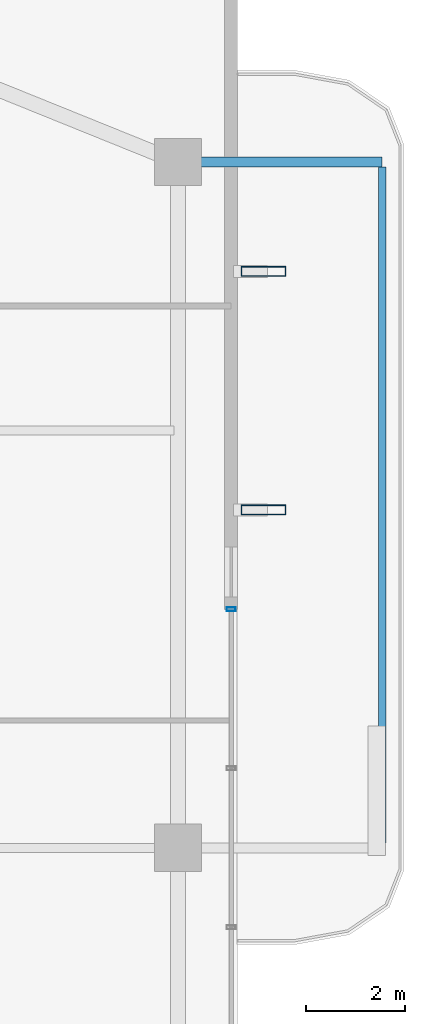
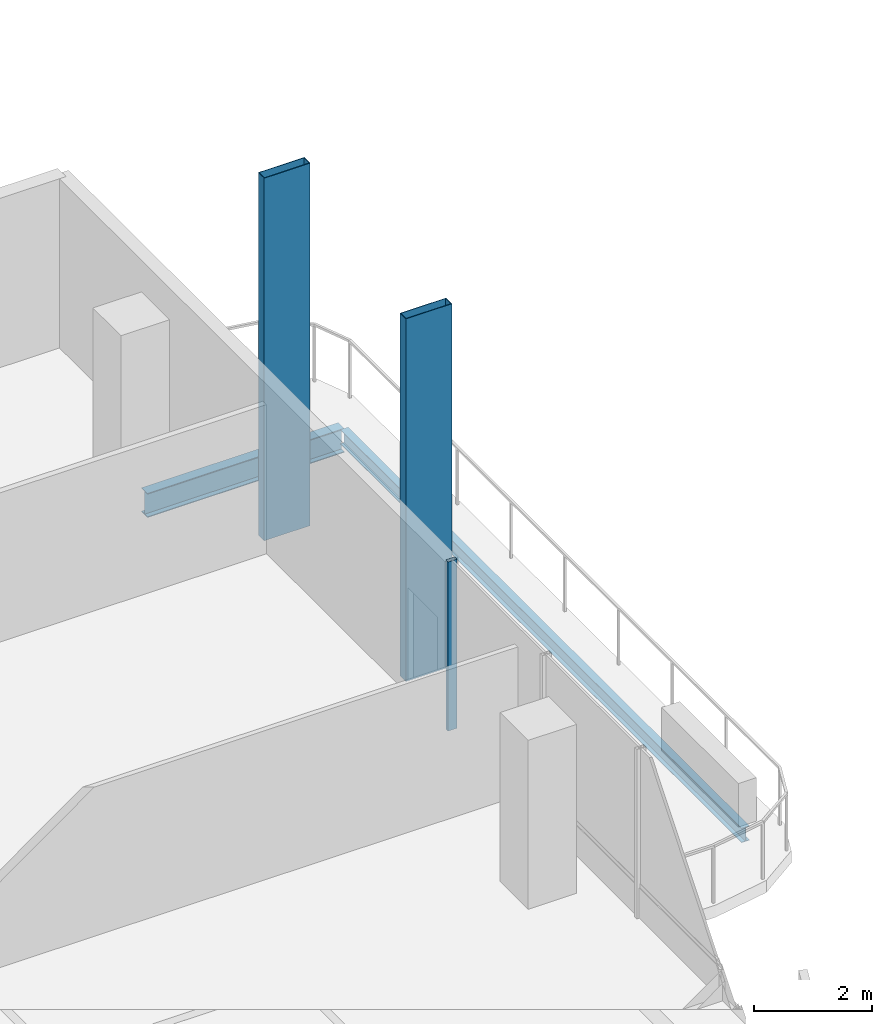
# One storey, part 15 of 25: 3 members, 2 beams, 1 element without a shape of its own.
"""IFC4 building model written with IfcOpenShell, lengths in metres."""

from ifc_helpers import new_model, si_unit, direction, frame, origin, origin_2d, place, context, subcontext, project, spatial, hollow_rectangle, i_section, extrude, material, layer, layer_set, material_profile, profile_set, type_object, element, aggregate, save


model = new_model("IFC4")

# Units and contexts
model_context = context("Model", 3, precision=1e-05, world=origin(), true_north=direction((0.0, 1.0)))
body_context = subcontext(model_context, "Body", "Model", "MODEL_VIEW")
ifc_project = project(units=[si_unit("LENGTHUNIT", "METRE"), si_unit("AREAUNIT", "SQUARE_METRE"), si_unit("VOLUMEUNIT", "CUBIC_METRE"), si_unit("PLANEANGLEUNIT", "RADIAN"), si_unit("MASSUNIT", "GRAM", prefix="KILO")], contexts=[model_context])

# Site, building, storey
site_placement = place(None, origin())
site = spatial("IfcSite", under=ifc_project, at=site_placement, CompositionType="ELEMENT")
building_placement = place(site_placement, origin())
building = spatial("IfcBuilding", under=site, at=building_placement, Name="Belovzor Exchange Tower", CompositionType="ELEMENT")
storey_placement = place(building_placement, frame((0.0, 0.0, 257.85009765625)))
storey = spatial("IfcBuildingStorey", under=building, at=storey_placement, Name="L64", CompositionType="ELEMENT", Elevation=257.85009765625)

# Beams
ifc_material_1 = material(Name="Steel S355", Category="steel")
ifc_material_profile_1 = material_profile(ifc_material_1, i_section(OverallWidth=0.199951171875, OverallDepth=0.5, WebThickness=0.01025390625, FlangeThickness=0.01611328125, at=origin_2d()))
ifc_profile_set_1 = profile_set([ifc_material_profile_1], Name="Steel S355")
beam_type_1 = type_object("IfcBeamType", Name="Planted Balcony Cantilever Beam IPE 500", PredefinedType="BEAM", material=ifc_profile_set_1)
beam_1_placement = place(storey_placement, frame((52.760986328125, 42.60009765625, -0.5), z_axis=(1.0, 0.0, 0.0), x_axis=(0.0, 1.0, 0.0)))
element("IfcBeam", 1, at=beam_1_placement, inside=storey, type_object=beam_type_1, Name="BC-500 Planted Balcony Cantilever Beam IPE 500", PredefinedType="BEAM", context=body_context, shape_type="SweptSolid", body=[
    extrude(i_section(OverallWidth=0.199951171875, OverallDepth=0.5, WebThickness=0.01025390625, FlangeThickness=0.01611328125, at=origin_2d()), origin(), (0.0, 0.0, 1.0), 3.85009765625),
])
ifc_material_2 = material(Name="Steel S355", Category="steel")
ifc_material_profile_2 = material_profile(ifc_material_2, i_section(OverallWidth=0.14990234375, OverallDepth=0.300048828125, WebThickness=0.007080078125, FlangeThickness=0.0107421875, at=origin_2d()))
ifc_profile_set_2 = profile_set([ifc_material_profile_2], Name="Steel S355")
beam_type_2 = type_object("IfcBeamType", Name="Planted Balcony Fascia Edge Beam IPE 300", PredefinedType="BEAM", material=ifc_profile_set_2)
beam_2_placement = place(storey_placement, frame((56.611083984375, 28.89990234375, -0.400146484375), z_axis=(0.0, 1.0, 0.0), x_axis=(-1.0, 0.0, 0.0)))
element("IfcBeam", 2, at=beam_2_placement, inside=storey, type_object=beam_type_2, Name="BC-300 Planted Balcony Fascia Edge Beam IPE 300", PredefinedType="BEAM", context=body_context, shape_type="SweptSolid", body=[
    extrude(i_section(OverallWidth=0.14990234375, OverallDepth=0.300048828125, WebThickness=0.007080078125, FlangeThickness=0.0107421875, at=origin_2d()), origin(), (0.0, 0.0, 1.0), 13.60009765625),
])

# Members
ifc_material_3 = material(Name="Extruded Architectural Terracotta on Steel S355 Carrier", Category="masonry")
ifc_material_profile_3 = material_profile(ifc_material_3, hollow_rectangle(XDim=0.199951171875, YDim=0.89990234375, WallThickness=0.011962890625, at=origin_2d()))
ifc_profile_set_3 = profile_set([ifc_material_profile_3], Name="Extruded Architectural Terracotta on Steel S355 Carrier")
member_type_1 = type_object("IfcMemberType", Name="Sweeping Terracotta Baguette Fin Assembly 950", PredefinedType="USERDEFINED", material=ifc_profile_set_3)
for number, where, z_axis, x_axis, name in (
    (3, (54.22509765625, 35.60009765625, -0.25), (0.0, 0.0, 1.0), (0.0, 1.0, 0.0), "FIN-TC095 Terracotta Facade Fin L64 E3"),
    (4, (54.22509765625, 40.39990234375, -0.25), (0.0, 0.0, 1.0), (0.0, 1.0, 0.0), "FIN-TC095 Terracotta Facade Fin L64 E4"),
):
    element("IfcMember", number, at=place(storey_placement, frame(where, z_axis=z_axis, x_axis=x_axis)), inside=storey, type_object=member_type_1, Name=name, ObjectType="FIN", PredefinedType="USERDEFINED", context=body_context, shape_type="SweptSolid", body=[
        extrude(hollow_rectangle(XDim=0.199951171875, YDim=0.89990234375, WallThickness=0.011962890625, at=origin_2d()), origin(), (0.0, 0.0, 1.0), 7.5),
    ])

# Curtain wall, member
ifc_material_4 = material(Name="Anodised Aluminium Framing", Category="aluminium")
ifc_layer = layer(ifc_material_4, 0.179931640625)
ifc_layer_set = layer_set([ifc_layer], Name="Anodised Aluminium Framing")
curtain_wall_type = type_object("IfcCurtainWallType", Name="Recessed Loggia Low-Iron Triple-Glazed Curtain Wall", PredefinedType="NOTDEFINED", material=ifc_layer_set)
curtain_wall_placement = place(storey_placement, origin())
curtain_wall = element("IfcCurtainWall", 5, at=curtain_wall_placement, inside=storey, type_object=curtain_wall_type, Name="CW3 Recessed Loggia Low-Iron Triple-Glazed Curtain Wall L64", PredefinedType="NOTDEFINED")
ifc_material_5 = material(Name="Steel S355", Category="steel")
ifc_material_profile_4 = material_profile(ifc_material_5, hollow_rectangle(XDim=0.074951171875, YDim=0.179931640625, WallThickness=0.0048828125, at=origin_2d()))
ifc_profile_set_4 = profile_set([ifc_material_profile_4], Name="Steel S355")
member_type_2 = type_object("IfcMemberType", Name="Thermally Broken Curtain Wall Mullion 180x75", PredefinedType="MULLION", material=ifc_profile_set_4)
member_placement = place(storey_placement, frame((53.570068359375, 33.60009765625, 0.0), z_axis=(0.0, 0.0, 1.0), x_axis=(0.0, -1.0, 0.0)))
member = element("IfcMember", 6, at=member_placement, type_object=member_type_2, Name="CW-M180 Curtain Wall Mullion 1", PredefinedType="MULLION", context=body_context, shape_type="SweptSolid", body=[
    extrude(hollow_rectangle(XDim=0.074951171875, YDim=0.179931640625, WallThickness=0.0048828125, at=origin_2d()), origin(), (0.0, 0.0, 1.0), 3.5),
])
aggregate(curtain_wall, [member])

save(model, "model.ifc")
